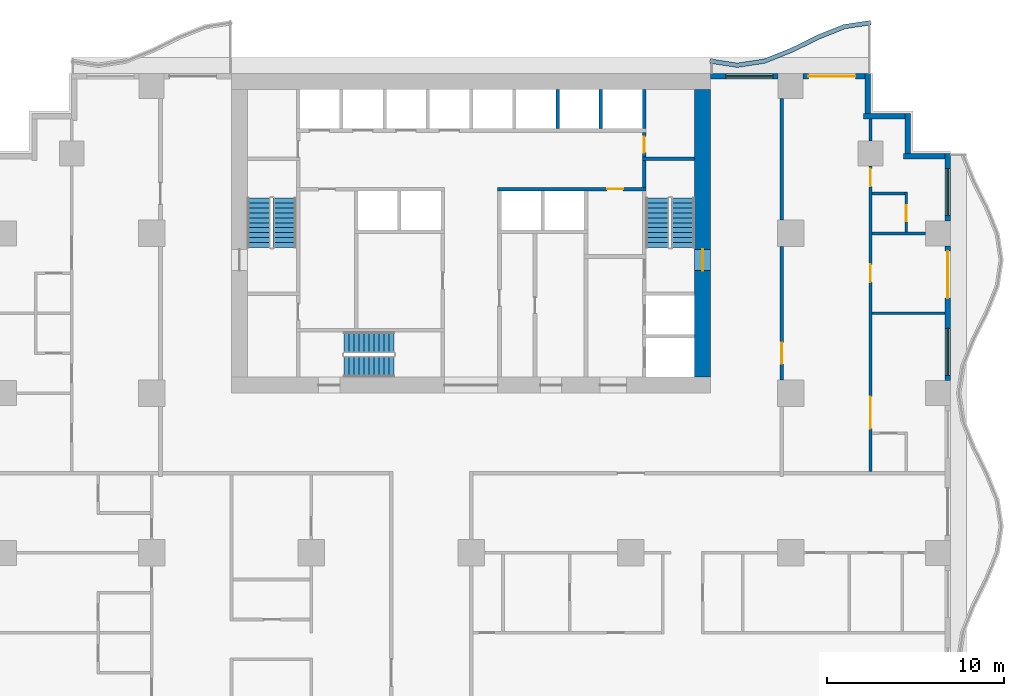
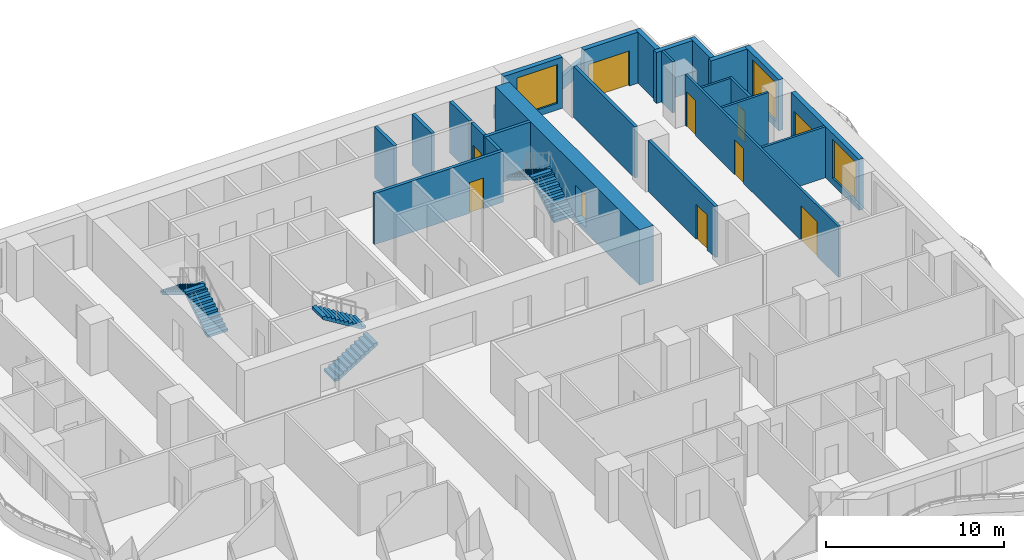
# One storey, part 6 of 13: 25 walls, 10 doors, 6 stair flights, 3 windows, 13 openings, 3 elements without a shape of their own.
"""IFC4 building model written with IfcOpenShell, lengths in metres."""

from ifc_helpers import new_model, si_unit, direction, frame, frame_2d, origin, place, context, subcontext, project, spatial, polyline, rectangle, outline, extrude, material, layer, layer_set, type_object, element, fill, aggregate, save


model = new_model("IFC4")

# Units and contexts
model_context = context("Model", 3, precision=1e-05, world=origin(), true_north=direction((0.0, 1.0)))
body_context = subcontext(model_context, "Body", "Model", "MODEL_VIEW")
ifc_project = project(units=[si_unit("LENGTHUNIT", "METRE"), si_unit("AREAUNIT", "SQUARE_METRE"), si_unit("VOLUMEUNIT", "CUBIC_METRE"), si_unit("PLANEANGLEUNIT", "RADIAN"), si_unit("MASSUNIT", "GRAM", prefix="KILO")], contexts=[model_context])

# Site, building, storey
site_placement = place(None, origin())
site = spatial("IfcSite", under=ifc_project, at=site_placement, CompositionType="ELEMENT")
building_placement = place(site_placement, origin())
building = spatial("IfcBuilding", under=site, at=building_placement, Name="Orbiselva Terraces", CompositionType="ELEMENT")
storey_placement = place(building_placement, frame((0.0, 0.0, 53.0)))
storey = spatial("IfcBuildingStorey", under=building, at=storey_placement, Name="L13", CompositionType="ELEMENT", Elevation=53.0)

# Wall, opening, door
ifc_material_1 = material(Name="Concrete C80/95", Category="concrete")
ifc_layer_1 = layer(ifc_material_1, 0.9)
ifc_layer_set_1 = layer_set([ifc_layer_1], Name="Concrete C80/95")
wall_type_1 = type_object("IfcWallType", Name="CORE WALL 900", PredefinedType="SHEAR", material=ifc_layer_set_1)
wall_1_placement = place(storey_placement, frame((13.05, 5.4, -0.3), z_axis=(0.0, 0.0, 1.0), x_axis=(0.0, 1.0, 0.0)))
wall_1 = element("IfcWall", 1, at=wall_1_placement, inside=storey, type_object=wall_type_1, Name="Core wall L13 east", PredefinedType="SHEAR", context=body_context, shape_type="SweptSolid", body=[
    extrude(rectangle(XDim=16.2, YDim=0.9, at=frame_2d((8.1, 0.0))), origin(), (0.0, 0.0, 1.0), 3.8),
])
opening_1_placement = place(wall_1_placement, frame((6.0, 0.0, 0.3)))
opening_1 = element("IfcOpeningElement", 2, at=opening_1_placement, cuts=wall_1, Name="Opening DS1200", PredefinedType="OPENING", context=body_context, shape_type="SweptSolid", body=[
    extrude(rectangle(XDim=1.2, YDim=2.2, at=frame_2d((0.6, 1.1))), frame((0.0, 0.46, 0.0), z_axis=(0.0, -1.0, 0.0), x_axis=(1.0, 0.0, 0.0)), (0.0, 0.0, 1.0), 0.92),
])
ifc_material_2 = material(Name="Steel fire door", Category="steel")
door_type_1 = type_object("IfcDoorType", Name="STAIR DOOR 1200", OperationType="NOTDEFINED", PredefinedType="DOOR", material=ifc_material_2)
door_1_placement = place(opening_1_placement, frame((1.2, 0.0, 0.0), z_axis=(0.0, 0.0, 1.0), x_axis=(-1.0, 0.0, 0.0)))
door_1 = element("IfcDoor", 3, at=door_1_placement, inside=storey, type_object=door_type_1, Name="L13 EXIT STAIR S2 door", OperationType="SINGLE_SWING_LEFT", OverallHeight=2.2, OverallWidth=1.2, PredefinedType="DOOR", context=body_context, shape_type="SweptSolid", body=[
    extrude(rectangle(XDim=1.2, YDim=2.2, at=frame_2d((0.6, 1.1))), frame((0.0, 0.025, 0.0), z_axis=(0.0, -1.0, 0.0), x_axis=(1.0, 0.0, 0.0)), (0.0, 0.0, 1.0), 0.05),
])
fill(opening_1, door_1)

ifc_material_3 = material(Name="Masonry blockwork", Category="masonry")
ifc_layer_2 = layer(ifc_material_3, 0.2)
ifc_layer_set_2 = layer_set([ifc_layer_2], Name="Masonry blockwork")
wall_type_2 = type_object("IfcWallType", Name="CORE-WALL-PARTITION-200", PredefinedType="PARTITIONING", material=ifc_layer_set_2)
wall_2_placement = place(storey_placement, frame((9.75, 19.2, 0.0), z_axis=(0.0, 0.0, 1.0), x_axis=(0.0, -1.0, 0.0)))
wall_2 = element("IfcWall", 4, at=wall_2_placement, inside=storey, type_object=wall_type_2, Name="L13 core wall 44", PredefinedType="PARTITIONING", context=body_context, shape_type="SweptSolid", body=[
    extrude(rectangle(XDim=1.4, YDim=0.2, at=frame_2d((0.7, 0.0))), origin(), (0.0, 0.0, 1.0), 3.5),
])
opening_2_placement = place(wall_2_placement, frame((0.25, 0.0, 0.0)))
opening_2 = element("IfcOpeningElement", 5, at=opening_2_placement, cuts=wall_2, Name="Opening DR900", PredefinedType="OPENING", context=body_context, shape_type="SweptSolid", body=[
    extrude(rectangle(XDim=0.9, YDim=2.1, at=frame_2d((0.45, 1.05))), frame((0.0, 0.11, 0.0), z_axis=(0.0, -1.0, 0.0), x_axis=(1.0, 0.0, 0.0)), (0.0, 0.0, 1.0), 0.22),
])
door_type_2 = type_object("IfcDoorType", Name="ROOM DOOR 900", OperationType="NOTDEFINED", PredefinedType="DOOR", material=ifc_material_2)
door_2_placement = place(opening_2_placement, origin())
door_2 = element("IfcDoor", 6, at=door_2_placement, inside=storey, type_object=door_type_2, Name="L13 ELECTRICAL RISER ROOM door", OperationType="SINGLE_SWING_RIGHT", OverallHeight=2.1, OverallWidth=0.9, PredefinedType="DOOR", context=body_context, shape_type="SweptSolid", body=[
    extrude(rectangle(XDim=0.9, YDim=2.1, at=frame_2d((0.45, 1.05))), frame((0.0, 0.025, 0.0), z_axis=(0.0, -1.0, 0.0), x_axis=(1.0, 0.0, 0.0)), (0.0, 0.0, 1.0), 0.05),
])
fill(opening_2, door_2)

# Walls
ifc_material_4 = material(Name="Concrete C40/50", Category="concrete")
ifc_layer_3 = layer(ifc_material_4, 0.2)
ifc_layer_set_3 = layer_set([ifc_layer_3], Name="Concrete C40/50")
wall_type_3 = type_object("IfcWallType", Name="CORE-WALL-SHAFT-200", PredefinedType="PARTITIONING", material=ifc_layer_set_3)
for number, where, z_axis, x_axis, name in (
    (7, (4.875, 19.4, 0.0), (0.0, 0.0, 1.0), (0.0, 1.0, 0.0), "L13 core wall 30"),
    (8, (7.3125, 19.4, 0.0), (0.0, 0.0, 1.0), (0.0, 1.0, 0.0), "L13 core wall 35"),
    (9, (9.75, 19.4, 0.0), (0.0, 0.0, 1.0), (0.0, 1.0, 0.0), "L13 core wall 45"),
):
    element("IfcWall", number, at=place(storey_placement, frame(where, z_axis=z_axis, x_axis=x_axis)), inside=storey, type_object=wall_type_3, Name=name, PredefinedType="PARTITIONING", context=body_context, shape_type="SweptSolid", body=[
        extrude(rectangle(XDim=2.2, YDim=0.2, at=frame_2d((1.1, 0.0))), origin(), (0.0, 0.0, 1.0), 3.5),
    ])

# Wall, opening, door
ifc_material_5 = material(Name="Concrete C60/75", Category="concrete")
ifc_layer_4 = layer(ifc_material_5, 0.2)
ifc_layer_set_4 = layer_set([ifc_layer_4], Name="Concrete C60/75")
wall_type_4 = type_object("IfcWallType", Name="CORE-WALL-SHEAR-200", PredefinedType="SHEAR", material=ifc_layer_set_4)
wall_3_placement = place(storey_placement, frame((9.85, 16.0, 0.0), z_axis=(0.0, 0.0, 1.0), x_axis=(-1.0, 0.0, 0.0)))
wall_3 = element("IfcWall", 10, at=wall_3_placement, inside=storey, type_object=wall_type_4, Name="L13 core wall 26", PredefinedType="SHEAR", context=body_context, shape_type="SweptSolid", body=[
    extrude(rectangle(XDim=8.35, YDim=0.2, at=frame_2d((4.175, 0.0))), origin(), (0.0, 0.0, 1.0), 3.5),
])
opening_3_placement = place(wall_3_placement, frame((1.2875, 0.0, 0.0)))
opening_3 = element("IfcOpeningElement", 11, at=opening_3_placement, cuts=wall_3, Name="Opening DR900", PredefinedType="OPENING", context=body_context, shape_type="SweptSolid", body=[
    extrude(rectangle(XDim=0.9, YDim=2.1, at=frame_2d((0.45, 1.05))), frame((0.0, 0.11, 0.0), z_axis=(0.0, -1.0, 0.0), x_axis=(1.0, 0.0, 0.0)), (0.0, 0.0, 1.0), 0.22),
])
door_3_placement = place(opening_3_placement, origin())
door_3 = element("IfcDoor", 12, at=door_3_placement, inside=storey, type_object=door_type_2, Name="L13 PIPE RISER ROOM door", OperationType="SINGLE_SWING_LEFT", OverallHeight=2.1, OverallWidth=0.9, PredefinedType="DOOR", context=body_context, shape_type="SweptSolid", body=[
    extrude(rectangle(XDim=0.9, YDim=2.1, at=frame_2d((0.45, 1.05))), frame((0.0, 0.025, 0.0), z_axis=(0.0, -1.0, 0.0), x_axis=(1.0, 0.0, 0.0)), (0.0, 0.0, 1.0), 0.05),
])
fill(opening_3, door_3)

# Walls
wall_4_placement = place(storey_placement, frame((9.75, 16.1, 0.0), z_axis=(0.0, 0.0, 1.0), x_axis=(0.0, 1.0, 0.0)))
element("IfcWall", 13, at=wall_4_placement, inside=storey, type_object=wall_type_4, Name="L13 core wall 42", PredefinedType="SHEAR", context=body_context, shape_type="SweptSolid", body=[
    extrude(rectangle(XDim=1.5, YDim=0.2, at=frame_2d((0.75, 0.0))), origin(), (0.0, 0.0, 1.0), 3.5),
])
wall_5_placement = place(storey_placement, frame((9.65, 17.7, 0.0), z_axis=(0.0, 0.0, 1.0), x_axis=(1.0, 0.0, 0.0)))
element("IfcWall", 14, at=wall_5_placement, inside=storey, type_object=wall_type_4, Name="L13 core wall 43", PredefinedType="SHEAR", context=body_context, shape_type="SweptSolid", body=[
    extrude(rectangle(XDim=2.95, YDim=0.2, at=frame_2d((1.475, 0.0))), origin(), (0.0, 0.0, 1.0), 3.5),
])
ifc_layer_5 = layer(ifc_material_4, 0.25)
ifc_layer_set_5 = layer_set([ifc_layer_5], Name="Concrete C40/50")
wall_type_5 = type_object("IfcWallType", Name="ENV-PLANTER-250x900", PredefinedType="USERDEFINED", material=ifc_layer_set_5)
wall_6_placement = place(storey_placement, origin())
element("IfcWall", 15, at=wall_6_placement, inside=storey, type_object=wall_type_5, Name="Balcony planter L13 NE", ObjectType="PLANTER", PredefinedType="USERDEFINED", context=body_context, shape_type="SweptSolid", body=[
    extrude(outline(polyline([(22.5, 25.5), (21.0, 25.27082), (19.5, 24.67082), (18.0, 23.92918), (16.5, 23.32918), (15.0, 23.1), (13.5, 23.32918), (13.462242, 23.082048), (15.0, 22.847099), (16.566166, 23.086388), (18.101983, 23.700715), (19.601983, 24.442355), (21.066166, 25.028028), (22.537758, 25.252868), (22.5, 25.5)])), origin(), (0.0, 0.0, 1.0), 0.9),
])

# Wall, openings, door, window
ifc_material_6 = material(Name="Terracotta cladding on masonry backing", Category="masonry")
ifc_layer_6 = layer(ifc_material_6, 0.3)
ifc_layer_set_6 = layer_set([ifc_layer_6], Name="Terracotta cladding on masonry backing")
wall_type_6 = type_object("IfcWallType", Name="ENV-WALL-TERRACOTTA-300", PredefinedType="SOLIDWALL", material=ifc_layer_set_6)
wall_7_placement = place(storey_placement, frame((26.85, 12.8, 0.0), z_axis=(0.0, 0.0, 1.0), x_axis=(0.0, -1.0, 0.0)))
wall_7 = element("IfcWall", 16, at=wall_7_placement, inside=storey, type_object=wall_type_6, Name="Facade wall L13 E", PredefinedType="SOLIDWALL", context=body_context, shape_type="SweptSolid", body=[
    extrude(rectangle(XDim=7.6, YDim=0.3, at=frame_2d((3.8, 0.0))), origin(), (0.0, 0.0, 1.0), 3.5),
])
opening_4_placement = place(wall_7_placement, frame((4.65, 0.0, 0.45)))
opening_4 = element("IfcOpeningElement", 17, at=opening_4_placement, cuts=wall_7, Name="Opening WN3", PredefinedType="OPENING", context=body_context, shape_type="SweptSolid", body=[
    extrude(rectangle(XDim=2.65, YDim=2.65, at=frame_2d((1.325, 1.325))), frame((0.0, 0.16, 0.0), z_axis=(0.0, -1.0, 0.0), x_axis=(1.0, 0.0, 0.0)), (0.0, 0.0, 1.0), 0.32),
])
opening_5_placement = place(wall_7_placement, frame((0.3, 0.0, 0.0)))
opening_5 = element("IfcOpeningElement", 18, at=opening_5_placement, cuts=wall_7, Name="Opening Z1-D-E07", PredefinedType="OPENING", context=body_context, shape_type="SweptSolid", body=[
    extrude(rectangle(XDim=2.65, YDim=2.4, at=frame_2d((1.325, 1.2))), frame((0.0, 0.16, 0.0), z_axis=(0.0, -1.0, 0.0), x_axis=(1.0, 0.0, 0.0)), (0.0, 0.0, 1.0), 0.32),
])
ifc_material_7 = material(Name="Clear low-e glazing in aluminium frame", Category="aluminium")
door_type_3 = type_object("IfcDoorType", Name="BALCONY DOOR 2650 X 2400", OperationType="DOUBLE_DOOR_SLIDING", PredefinedType="DOOR", material=ifc_material_7)
door_4_placement = place(opening_5_placement, origin())
door_4 = element("IfcDoor", 19, at=door_4_placement, inside=storey, type_object=door_type_3, Name="Z1-D-E07", OperationType="SINGLE_SWING_LEFT", OverallHeight=2.4, OverallWidth=2.65, PredefinedType="DOOR", context=body_context, shape_type="SweptSolid", body=[
    extrude(rectangle(XDim=2.65, YDim=2.4, at=frame_2d((1.325, 1.2))), frame((0.0, 0.025, 0.0), z_axis=(0.0, -1.0, 0.0), x_axis=(1.0, 0.0, 0.0)), (0.0, 0.0, 1.0), 0.05),
])
fill(opening_5, door_4)
window_type = type_object("IfcWindowType", Name="WINDOW 2650 X 2650 S450", PartitioningType="TRIPLE_PANEL_VERTICAL", PredefinedType="WINDOW", material=ifc_material_7)
window_1_placement = place(opening_4_placement, origin())
window_1 = element("IfcWindow", 20, at=window_1_placement, inside=storey, type_object=window_type, Name="Window L13 E", OverallHeight=2.65, OverallWidth=2.65, PartitioningType="SINGLE_PANEL", PredefinedType="WINDOW", context=body_context, shape_type="SweptSolid", body=[
    extrude(rectangle(XDim=2.65, YDim=2.65, at=frame_2d((1.325, 1.325))), frame((0.0, 0.03, 0.0), z_axis=(0.0, -1.0, 0.0), x_axis=(1.0, 0.0, 0.0)), (0.0, 0.0, 1.0), 0.06),
])
fill(opening_4, window_1)

# Wall, opening, window
wall_8_placement = place(storey_placement, frame((26.85, 18.0, 0.0), z_axis=(0.0, 0.0, 1.0), x_axis=(0.0, -1.0, 0.0)))
wall_8 = element("IfcWall", 21, at=wall_8_placement, inside=storey, type_object=wall_type_6, Name="Facade wall L13 E", PredefinedType="SOLIDWALL", context=body_context, shape_type="SweptSolid", body=[
    extrude(rectangle(XDim=3.8, YDim=0.3, at=frame_2d((1.9, 0.0))), origin(), (0.0, 0.0, 1.0), 3.5),
])
opening_6_placement = place(wall_8_placement, frame((0.85, 0.0, 0.45)))
opening_6 = element("IfcOpeningElement", 22, at=opening_6_placement, cuts=wall_8, Name="Opening WN3", PredefinedType="OPENING", context=body_context, shape_type="SweptSolid", body=[
    extrude(rectangle(XDim=2.65, YDim=2.65, at=frame_2d((1.325, 1.325))), frame((0.0, 0.16, 0.0), z_axis=(0.0, -1.0, 0.0), x_axis=(1.0, 0.0, 0.0)), (0.0, 0.0, 1.0), 0.32),
])
window_2_placement = place(opening_6_placement, origin())
window_2 = element("IfcWindow", 23, at=window_2_placement, inside=storey, type_object=window_type, Name="Window L13 E", OverallHeight=2.65, OverallWidth=2.65, PartitioningType="SINGLE_PANEL", PredefinedType="WINDOW", context=body_context, shape_type="SweptSolid", body=[
    extrude(rectangle(XDim=2.65, YDim=2.65, at=frame_2d((1.325, 1.325))), frame((0.0, 0.03, 0.0), z_axis=(0.0, -1.0, 0.0), x_axis=(1.0, 0.0, 0.0)), (0.0, 0.0, 1.0), 0.06),
])
fill(opening_6, window_2)

# Walls
wall_9_placement = place(storey_placement, frame((24.35, 17.85, 0.0), z_axis=(0.0, 0.0, 1.0), x_axis=(1.0, 0.0, 0.0)))
element("IfcWall", 24, at=wall_9_placement, inside=storey, type_object=wall_type_6, Name="Facade wall L13 STEP", PredefinedType="SOLIDWALL", context=body_context, shape_type="SweptSolid", body=[
    extrude(rectangle(XDim=2.35, YDim=0.3, at=frame_2d((1.175, 0.0))), origin(), (0.0, 0.0, 1.0), 3.5),
])
wall_10_placement = place(storey_placement, frame((24.6, 20.25, 0.0), z_axis=(0.0, 0.0, 1.0), x_axis=(0.0, -1.0, 0.0)))
element("IfcWall", 25, at=wall_10_placement, inside=storey, type_object=wall_type_6, Name="Facade wall L13 STEP", PredefinedType="SOLIDWALL", context=body_context, shape_type="SweptSolid", body=[
    extrude(rectangle(XDim=2.25, YDim=0.3, at=frame_2d((1.125, 0.0))), origin(), (0.0, 0.0, 1.0), 3.5),
])
wall_11_placement = place(storey_placement, frame((22.1, 20.1, 0.0), z_axis=(0.0, 0.0, 1.0), x_axis=(1.0, 0.0, 0.0)))
element("IfcWall", 26, at=wall_11_placement, inside=storey, type_object=wall_type_6, Name="Facade wall L13 STEP", PredefinedType="SOLIDWALL", context=body_context, shape_type="SweptSolid", body=[
    extrude(rectangle(XDim=2.35, YDim=0.3, at=frame_2d((1.175, 0.0))), origin(), (0.0, 0.0, 1.0), 3.5),
])
wall_12_placement = place(storey_placement, frame((22.35, 22.5, 0.0), z_axis=(0.0, 0.0, 1.0), x_axis=(0.0, -1.0, 0.0)))
element("IfcWall", 27, at=wall_12_placement, inside=storey, type_object=wall_type_6, Name="Facade wall L13 STEP", PredefinedType="SOLIDWALL", context=body_context, shape_type="SweptSolid", body=[
    extrude(rectangle(XDim=2.25, YDim=0.3, at=frame_2d((1.125, 0.0))), origin(), (0.0, 0.0, 1.0), 3.5),
])

# Wall, opening, door
wall_13_placement = place(storey_placement, frame((18.7, 22.35, 0.0), z_axis=(0.0, 0.0, 1.0), x_axis=(1.0, 0.0, 0.0)))
wall_13 = element("IfcWall", 28, at=wall_13_placement, inside=storey, type_object=wall_type_6, Name="Facade wall L13 NE", PredefinedType="SOLIDWALL", context=body_context, shape_type="SweptSolid", body=[
    extrude(rectangle(XDim=3.5, YDim=0.3, at=frame_2d((1.75, 0.0))), origin(), (0.0, 0.0, 1.0), 3.5),
])
opening_7_placement = place(wall_13_placement, frame((0.3, 0.0, 0.0)))
opening_7 = element("IfcOpeningElement", 29, at=opening_7_placement, cuts=wall_13, Name="Opening Z1-D-E09", PredefinedType="OPENING", context=body_context, shape_type="SweptSolid", body=[
    extrude(rectangle(XDim=2.65, YDim=2.4, at=frame_2d((1.325, 1.2))), frame((0.0, 0.16, 0.0), z_axis=(0.0, -1.0, 0.0), x_axis=(1.0, 0.0, 0.0)), (0.0, 0.0, 1.0), 0.32),
])
door_5_placement = place(opening_7_placement, origin())
door_5 = element("IfcDoor", 30, at=door_5_placement, inside=storey, type_object=door_type_3, Name="Z1-D-E09", OperationType="SINGLE_SWING_LEFT", OverallHeight=2.4, OverallWidth=2.65, PredefinedType="DOOR", context=body_context, shape_type="SweptSolid", body=[
    extrude(rectangle(XDim=2.65, YDim=2.4, at=frame_2d((1.325, 1.2))), frame((0.0, 0.025, 0.0), z_axis=(0.0, -1.0, 0.0), x_axis=(1.0, 0.0, 0.0)), (0.0, 0.0, 1.0), 0.05),
])
fill(opening_7, door_5)

# Wall, opening, window
wall_14_placement = place(storey_placement, frame((13.5, 22.35, 0.0), z_axis=(0.0, 0.0, 1.0), x_axis=(1.0, 0.0, 0.0)))
wall_14 = element("IfcWall", 31, at=wall_14_placement, inside=storey, type_object=wall_type_6, Name="Facade wall L13 NE", PredefinedType="SOLIDWALL", context=body_context, shape_type="SweptSolid", body=[
    extrude(rectangle(XDim=3.8, YDim=0.3, at=frame_2d((1.9, 0.0))), origin(), (0.0, 0.0, 1.0), 3.5),
])
opening_8_placement = place(wall_14_placement, frame((0.85, 0.0, 0.45)))
opening_8 = element("IfcOpeningElement", 32, at=opening_8_placement, cuts=wall_14, Name="Opening WN3", PredefinedType="OPENING", context=body_context, shape_type="SweptSolid", body=[
    extrude(rectangle(XDim=2.65, YDim=2.65, at=frame_2d((1.325, 1.325))), frame((0.0, 0.16, 0.0), z_axis=(0.0, -1.0, 0.0), x_axis=(1.0, 0.0, 0.0)), (0.0, 0.0, 1.0), 0.32),
])
window_3_placement = place(opening_8_placement, origin())
window_3 = element("IfcWindow", 33, at=window_3_placement, inside=storey, type_object=window_type, Name="Window L13 NE", OverallHeight=2.65, OverallWidth=2.65, PartitioningType="SINGLE_PANEL", PredefinedType="WINDOW", context=body_context, shape_type="SweptSolid", body=[
    extrude(rectangle(XDim=2.65, YDim=2.65, at=frame_2d((1.325, 1.325))), frame((0.0, 0.03, 0.0), z_axis=(0.0, -1.0, 0.0), x_axis=(1.0, 0.0, 0.0)), (0.0, 0.0, 1.0), 0.06),
])
fill(opening_8, window_3)

# Wall, opening, door
ifc_material_8 = material(Name="Plasterboard on steel stud partition", Category="steel")
ifc_layer_7 = layer(ifc_material_8, 0.2)
ifc_layer_set_7 = layer_set([ifc_layer_7], Name="Plasterboard on steel stud partition")
wall_type_7 = type_object("IfcWallType", Name="UNIT-ENTRANCE-WALL-200", PredefinedType="PARTITIONING", material=ifc_layer_set_7)
wall_15_placement = place(storey_placement, frame((17.5, 12.75, 0.0), z_axis=(0.0, 0.0, 1.0), x_axis=(0.0, -1.0, 0.0)))
wall_15 = element("IfcWall", 34, at=wall_15_placement, inside=storey, type_object=wall_type_7, Name="PARTITION L13-076", PredefinedType="PARTITIONING", context=body_context, shape_type="SweptSolid", body=[
    extrude(rectangle(XDim=7.5, YDim=0.2, at=frame_2d((3.75, 0.0))), origin(), (0.0, 0.0, 1.0), 3.5),
])
opening_9_placement = place(wall_15_placement, frame((5.4, 0.0, 0.0)))
opening_9 = element("IfcOpeningElement", 35, at=opening_9_placement, cuts=wall_15, Name="Opening Z1-D-07", PredefinedType="OPENING", context=body_context, shape_type="SweptSolid", body=[
    extrude(rectangle(XDim=1.2, YDim=2.4, at=frame_2d((0.6, 1.2))), frame((0.0, 0.11, 0.0), z_axis=(0.0, -1.0, 0.0), x_axis=(1.0, 0.0, 0.0)), (0.0, 0.0, 1.0), 0.22),
])
ifc_material_9 = material(Name="Painted timber door leaf", Category="wood")
door_type_4 = type_object("IfcDoorType", Name="ENTRANCE DOOR 1200", OperationType="NOTDEFINED", PredefinedType="DOOR", material=ifc_material_9)
door_6_placement = place(opening_9_placement, origin())
door_6 = element("IfcDoor", 36, at=door_6_placement, inside=storey, type_object=door_type_4, Name="Z1-D-07", OperationType="SINGLE_SWING_RIGHT", OverallHeight=2.4, OverallWidth=1.2, PredefinedType="DOOR", context=body_context, shape_type="SweptSolid", body=[
    extrude(rectangle(XDim=1.2, YDim=2.4, at=frame_2d((0.6, 1.2))), frame((0.0, 0.025, 0.0), z_axis=(0.0, -1.0, 0.0), x_axis=(1.0, 0.0, 0.0)), (0.0, 0.0, 1.0), 0.05),
])
fill(opening_9, door_6)

# Walls
wall_16_placement = place(storey_placement, frame((17.5, 14.25, 0.0), z_axis=(0.0, 0.0, 1.0), x_axis=(0.0, 1.0, 0.0)))
element("IfcWall", 37, at=wall_16_placement, inside=storey, type_object=wall_type_7, Name="PARTITION L13-077", PredefinedType="PARTITIONING", context=body_context, shape_type="SweptSolid", body=[
    extrude(rectangle(XDim=6.85, YDim=0.2, at=frame_2d((3.425, 0.0))), origin(), (0.0, 0.0, 1.0), 3.5),
])
ifc_layer_8 = layer(ifc_material_8, 0.15)
ifc_layer_set_8 = layer_set([ifc_layer_8], Name="Plasterboard on steel stud partition")
wall_type_8 = type_object("IfcWallType", Name="UNIT-PARTITION-150", PredefinedType="PARTITIONING", material=ifc_layer_set_8)
wall_17_placement = place(storey_placement, frame((22.575, 9.0, 0.0), z_axis=(0.0, 0.0, 1.0), x_axis=(1.0, 0.0, 0.0)))
element("IfcWall", 38, at=wall_17_placement, inside=storey, type_object=wall_type_8, Name="PARTITION L13-037", PredefinedType="PARTITIONING", context=body_context, shape_type="SweptSolid", body=[
    extrude(rectangle(XDim=4.125, YDim=0.15, at=frame_2d((2.0625, 0.0))), origin(), (0.0, 0.0, 1.0), 3.5),
])
wall_18_placement = place(storey_placement, frame((22.575, 13.5, 0.0), z_axis=(0.0, 0.0, 1.0), x_axis=(1.0, 0.0, 0.0)))
element("IfcWall", 39, at=wall_18_placement, inside=storey, type_object=wall_type_8, Name="PARTITION L13-039", PredefinedType="PARTITIONING", context=body_context, shape_type="SweptSolid", body=[
    extrude(rectangle(XDim=3.025, YDim=0.15, at=frame_2d((1.5125, 0.0))), origin(), (0.0, 0.0, 1.0), 3.5),
])
wall_19_placement = place(storey_placement, frame((22.575, 15.75, 0.0), z_axis=(0.0, 0.0, 1.0), x_axis=(1.0, 0.0, 0.0)))
element("IfcWall", 40, at=wall_19_placement, inside=storey, type_object=wall_type_8, Name="PARTITION L13-040", PredefinedType="PARTITIONING", context=body_context, shape_type="SweptSolid", body=[
    extrude(rectangle(XDim=1.875, YDim=0.15, at=frame_2d((0.9375, 0.0))), origin(), (0.0, 0.0, 1.0), 3.5),
])

# Wall, openings, doors
wall_20_placement = place(storey_placement, frame((22.5, 17.3, 0.0), z_axis=(0.0, 0.0, 1.0), x_axis=(0.0, -1.0, 0.0)))
wall_20 = element("IfcWall", 41, at=wall_20_placement, inside=storey, type_object=wall_type_8, Name="PARTITION L13-081", PredefinedType="PARTITIONING", context=body_context, shape_type="SweptSolid", body=[
    extrude(rectangle(XDim=17.2, YDim=0.15, at=frame_2d((8.6, 0.0))), origin(), (0.0, 0.0, 1.0), 3.5),
])
opening_10_placement = place(wall_20_placement, frame((13.0, 0.0, 0.0)))
opening_10 = element("IfcOpeningElement", 42, at=opening_10_placement, cuts=wall_20, Name="Opening Z1-D-08", PredefinedType="OPENING", context=body_context, shape_type="SweptSolid", body=[
    extrude(rectangle(XDim=1.8, YDim=2.4, at=frame_2d((0.9, 1.2))), frame((0.0, 0.085, 0.0), z_axis=(0.0, -1.0, 0.0), x_axis=(1.0, 0.0, 0.0)), (0.0, 0.0, 1.0), 0.17),
])
opening_11_placement = place(wall_20_placement, frame((5.55, 0.0, 0.0)))
opening_11 = element("IfcOpeningElement", 43, at=opening_11_placement, cuts=wall_20, Name="Opening Z1-D-10", PredefinedType="OPENING", context=body_context, shape_type="SweptSolid", body=[
    extrude(rectangle(XDim=1.0, YDim=2.4, at=frame_2d((0.5, 1.2))), frame((0.0, 0.085, 0.0), z_axis=(0.0, -1.0, 0.0), x_axis=(1.0, 0.0, 0.0)), (0.0, 0.0, 1.0), 0.17),
])
opening_12_placement = place(wall_20_placement, frame((0.15, 0.0, 0.0)))
opening_12 = element("IfcOpeningElement", 44, at=opening_12_placement, cuts=wall_20, Name="Opening Z1-D-11", PredefinedType="OPENING", context=body_context, shape_type="SweptSolid", body=[
    extrude(rectangle(XDim=1.0, YDim=2.4, at=frame_2d((0.5, 1.2))), frame((0.0, 0.085, 0.0), z_axis=(0.0, -1.0, 0.0), x_axis=(1.0, 0.0, 0.0)), (0.0, 0.0, 1.0), 0.17),
])
door_type_5 = type_object("IfcDoorType", Name="DOUBLE DOOR 1800", OperationType="NOTDEFINED", PredefinedType="DOOR", material=ifc_material_9)
door_7_placement = place(opening_10_placement, origin())
door_7 = element("IfcDoor", 45, at=door_7_placement, inside=storey, type_object=door_type_5, Name="Z1-D-08", OperationType="DOUBLE_DOOR_SINGLE_SWING", OverallHeight=2.4, OverallWidth=1.8, PredefinedType="DOOR", context=body_context, shape_type="SweptSolid", body=[
    extrude(rectangle(XDim=1.8, YDim=2.4, at=frame_2d((0.9, 1.2))), frame((0.0, 0.025, 0.0), z_axis=(0.0, -1.0, 0.0), x_axis=(1.0, 0.0, 0.0)), (0.0, 0.0, 1.0), 0.05),
])
fill(opening_10, door_7)
door_type_6 = type_object("IfcDoorType", Name="ROOM DOOR 1000", OperationType="NOTDEFINED", PredefinedType="DOOR", material=ifc_material_9)
door_8_placement = place(opening_11_placement, origin())
door_8 = element("IfcDoor", 46, at=door_8_placement, inside=storey, type_object=door_type_6, Name="Z1-D-10", OperationType="SINGLE_SWING_LEFT", OverallHeight=2.4, OverallWidth=1.0, PredefinedType="DOOR", context=body_context, shape_type="SweptSolid", body=[
    extrude(rectangle(XDim=1.0, YDim=2.4, at=frame_2d((0.5, 1.2))), frame((0.0, 0.025, 0.0), z_axis=(0.0, -1.0, 0.0), x_axis=(1.0, 0.0, 0.0)), (0.0, 0.0, 1.0), 0.05),
])
fill(opening_11, door_8)
door_9_placement = place(opening_12_placement, origin())
door_9 = element("IfcDoor", 47, at=door_9_placement, inside=storey, type_object=door_type_6, Name="Z1-D-11", OperationType="SINGLE_SWING_LEFT", OverallHeight=2.4, OverallWidth=1.0, PredefinedType="DOOR", context=body_context, shape_type="SweptSolid", body=[
    extrude(rectangle(XDim=1.0, YDim=2.4, at=frame_2d((0.5, 1.2))), frame((0.0, 0.025, 0.0), z_axis=(0.0, -1.0, 0.0), x_axis=(1.0, 0.0, 0.0)), (0.0, 0.0, 1.0), 0.05),
])
fill(opening_12, door_9)

# Wall
wall_21_placement = place(storey_placement, frame((22.5, 18.7, 0.0), z_axis=(0.0, 0.0, 1.0), x_axis=(0.0, 1.0, 0.0)))
element("IfcWall", 48, at=wall_21_placement, inside=storey, type_object=wall_type_8, Name="PARTITION L13-082", PredefinedType="PARTITIONING", context=body_context, shape_type="SweptSolid", body=[
    extrude(rectangle(XDim=1.25, YDim=0.15, at=frame_2d((0.625, 0.0))), origin(), (0.0, 0.0, 1.0), 3.5),
])

# Wall, opening, door
wall_22_placement = place(storey_placement, frame((24.525, 13.575, 0.0), z_axis=(0.0, 0.0, 1.0), x_axis=(0.0, 1.0, 0.0)))
wall_22 = element("IfcWall", 49, at=wall_22_placement, inside=storey, type_object=wall_type_8, Name="PARTITION L13-085", PredefinedType="PARTITIONING", context=body_context, shape_type="SweptSolid", body=[
    extrude(rectangle(XDim=2.25, YDim=0.15, at=frame_2d((1.125, 0.0))), origin(), (0.0, 0.0, 1.0), 3.5),
])
opening_13_placement = place(wall_22_placement, frame((0.6, 0.0, 0.0)))
opening_13 = element("IfcOpeningElement", 50, at=opening_13_placement, cuts=wall_22, Name="Opening Z1-D-12", PredefinedType="OPENING", context=body_context, shape_type="SweptSolid", body=[
    extrude(rectangle(XDim=0.9, YDim=2.1, at=frame_2d((0.45, 1.05))), frame((0.0, 0.085, 0.0), z_axis=(0.0, -1.0, 0.0), x_axis=(1.0, 0.0, 0.0)), (0.0, 0.0, 1.0), 0.17),
])
door_type_7 = type_object("IfcDoorType", Name="BATH DOOR 900", OperationType="NOTDEFINED", PredefinedType="DOOR", material=ifc_material_9)
door_10_placement = place(opening_13_placement, origin())
door_10 = element("IfcDoor", 51, at=door_10_placement, inside=storey, type_object=door_type_7, Name="Z1-D-12", OperationType="SINGLE_SWING_LEFT", OverallHeight=2.1, OverallWidth=0.9, PredefinedType="DOOR", context=body_context, shape_type="SweptSolid", body=[
    extrude(rectangle(XDim=0.9, YDim=2.1, at=frame_2d((0.45, 1.05))), frame((0.0, 0.025, 0.0), z_axis=(0.0, -1.0, 0.0), x_axis=(1.0, 0.0, 0.0)), (0.0, 0.0, 1.0), 0.05),
])
fill(opening_13, door_10)

# Stair, stair flights
stair_type_1 = type_object("IfcStairType", Name="CORE-STAIR-1200", PredefinedType="HALF_TURN_STAIR", material=ifc_material_4)
stair_1_placement = place(storey_placement, origin())
stair_1 = element("IfcStair", 52, at=stair_1_placement, inside=storey, type_object=stair_type_1, Name="L13 Exit Stair S3", PredefinedType="HALF_TURN_STAIR")
stair_flight_type_1 = type_object("IfcStairFlightType", Name="CORE-STAIR-FLIGHT-1200", PredefinedType="STRAIGHT", material=ifc_material_4)
stair_flight_1_placement = place(storey_placement, frame((-7.15, 6.0, 0.0), z_axis=(0.0, 0.0, 1.0), x_axis=(1.0, 0.0, 0.0)))
stair_flight_1 = element("IfcStairFlight", 53, at=stair_flight_1_placement, type_object=stair_flight_type_1, Name="S3 flight 1", NumberOfRisers=11, NumberOfTreads=10, PredefinedType="STRAIGHT", RiserHeight=0.172727273, TreadLength=0.28, context=body_context, shape_type="SweptSolid", body=[
    extrude(outline(polyline([(0.0, 0.0), (0.0, 0.172727), (0.28, 0.172727), (0.28, 0.345455), (0.56, 0.345455), (0.56, 0.518182), (0.84, 0.518182), (0.84, 0.690909), (1.12, 0.690909), (1.12, 0.863636), (1.4, 0.863636), (1.4, 1.036364), (1.68, 1.036364), (1.68, 1.209091), (1.96, 1.209091), (1.96, 1.381818), (2.24, 1.381818), (2.24, 1.554545), (2.52, 1.554545), (2.52, 1.727273), (2.8, 1.727273), (2.8, 1.9), (2.8, 1.551028), (0.285702, 0.0), (0.0, 0.0)])), frame((0.0, 0.6, 0.0), z_axis=(0.0, -1.0, 0.0), x_axis=(1.0, 0.0, 0.0)), (0.0, 0.0, 1.0), 1.2),
])
stair_flight_2_placement = place(storey_placement, frame((-4.35, 7.35, 1.9), z_axis=(0.0, 0.0, 1.0), x_axis=(-1.0, 0.0, 0.0)))
stair_flight_2 = element("IfcStairFlight", 54, at=stair_flight_2_placement, type_object=stair_flight_type_1, Name="S3 flight 2", NumberOfRisers=11, NumberOfTreads=10, PredefinedType="STRAIGHT", RiserHeight=0.172727273, TreadLength=0.28, context=body_context, shape_type="SweptSolid", body=[
    extrude(outline(polyline([(0.0, 0.0), (0.0, 0.172727), (0.28, 0.172727), (0.28, 0.345455), (0.56, 0.345455), (0.56, 0.518182), (0.84, 0.518182), (0.84, 0.690909), (1.12, 0.690909), (1.12, 0.863636), (1.4, 0.863636), (1.4, 1.036364), (1.68, 1.036364), (1.68, 1.209091), (1.96, 1.209091), (1.96, 1.381818), (2.24, 1.381818), (2.24, 1.554545), (2.52, 1.554545), (2.52, 1.727273), (2.8, 1.727273), (2.8, 1.9), (2.8, 1.551028), (0.285702, 0.0), (0.0, 0.0)])), frame((0.0, 0.6, 0.0), z_axis=(0.0, -1.0, 0.0), x_axis=(1.0, 0.0, 0.0)), (0.0, 0.0, 1.0), 1.2),
])
aggregate(stair_1, [stair_flight_1, stair_flight_2])

stair_type_2 = type_object("IfcStairType", Name="CORE-STAIR-1300", PredefinedType="HALF_TURN_STAIR", material=ifc_material_4)
stair_2_placement = place(storey_placement, origin())
stair_2 = element("IfcStair", 55, at=stair_2_placement, inside=storey, type_object=stair_type_2, Name="L13 Exit Stair S1", PredefinedType="HALF_TURN_STAIR")
stair_flight_type_2 = type_object("IfcStairFlightType", Name="CORE-STAIR-FLIGHT-1300", PredefinedType="STRAIGHT", material=ifc_material_4)
stair_flight_3_placement = place(storey_placement, frame((-10.5, 12.7, 0.0), z_axis=(0.0, 0.0, 1.0), x_axis=(0.0, 1.0, 0.0)))
stair_flight_3 = element("IfcStairFlight", 56, at=stair_flight_3_placement, type_object=stair_flight_type_2, Name="S1 flight 1", NumberOfRisers=11, NumberOfTreads=10, PredefinedType="STRAIGHT", RiserHeight=0.172727273, TreadLength=0.28, context=body_context, shape_type="SweptSolid", body=[
    extrude(outline(polyline([(0.0, 0.0), (0.0, 0.172727), (0.28, 0.172727), (0.28, 0.345455), (0.56, 0.345455), (0.56, 0.518182), (0.84, 0.518182), (0.84, 0.690909), (1.12, 0.690909), (1.12, 0.863636), (1.4, 0.863636), (1.4, 1.036364), (1.68, 1.036364), (1.68, 1.209091), (1.96, 1.209091), (1.96, 1.381818), (2.24, 1.381818), (2.24, 1.554545), (2.52, 1.554545), (2.52, 1.727273), (2.8, 1.727273), (2.8, 1.9), (2.8, 1.551028), (0.285702, 0.0), (0.0, 0.0)])), frame((0.0, 0.65, 0.0), z_axis=(0.0, -1.0, 0.0), x_axis=(1.0, 0.0, 0.0)), (0.0, 0.0, 1.0), 1.3),
])
stair_flight_4_placement = place(storey_placement, frame((-11.95, 15.5, 1.9), z_axis=(0.0, 0.0, 1.0), x_axis=(0.0, -1.0, 0.0)))
stair_flight_4 = element("IfcStairFlight", 57, at=stair_flight_4_placement, type_object=stair_flight_type_2, Name="S1 flight 2", NumberOfRisers=11, NumberOfTreads=10, PredefinedType="STRAIGHT", RiserHeight=0.172727273, TreadLength=0.28, context=body_context, shape_type="SweptSolid", body=[
    extrude(outline(polyline([(0.0, 0.0), (0.0, 0.172727), (0.28, 0.172727), (0.28, 0.345455), (0.56, 0.345455), (0.56, 0.518182), (0.84, 0.518182), (0.84, 0.690909), (1.12, 0.690909), (1.12, 0.863636), (1.4, 0.863636), (1.4, 1.036364), (1.68, 1.036364), (1.68, 1.209091), (1.96, 1.209091), (1.96, 1.381818), (2.24, 1.381818), (2.24, 1.554545), (2.52, 1.554545), (2.52, 1.727273), (2.8, 1.727273), (2.8, 1.9), (2.8, 1.551028), (0.285702, 0.0), (0.0, 0.0)])), frame((0.0, 0.65, 0.0), z_axis=(0.0, -1.0, 0.0), x_axis=(1.0, 0.0, 0.0)), (0.0, 0.0, 1.0), 1.3),
])
aggregate(stair_2, [stair_flight_3, stair_flight_4])

stair_3_placement = place(storey_placement, origin())
stair_3 = element("IfcStair", 58, at=stair_3_placement, inside=storey, type_object=stair_type_2, Name="L13 Exit Stair S2", PredefinedType="HALF_TURN_STAIR")
stair_flight_5_placement = place(storey_placement, frame((11.95, 12.7, 0.0), z_axis=(0.0, 0.0, 1.0), x_axis=(0.0, 1.0, 0.0)))
stair_flight_5 = element("IfcStairFlight", 59, at=stair_flight_5_placement, type_object=stair_flight_type_2, Name="S2 flight 1", NumberOfRisers=11, NumberOfTreads=10, PredefinedType="STRAIGHT", RiserHeight=0.172727273, TreadLength=0.28, context=body_context, shape_type="SweptSolid", body=[
    extrude(outline(polyline([(0.0, 0.0), (0.0, 0.172727), (0.28, 0.172727), (0.28, 0.345455), (0.56, 0.345455), (0.56, 0.518182), (0.84, 0.518182), (0.84, 0.690909), (1.12, 0.690909), (1.12, 0.863636), (1.4, 0.863636), (1.4, 1.036364), (1.68, 1.036364), (1.68, 1.209091), (1.96, 1.209091), (1.96, 1.381818), (2.24, 1.381818), (2.24, 1.554545), (2.52, 1.554545), (2.52, 1.727273), (2.8, 1.727273), (2.8, 1.9), (2.8, 1.551028), (0.285702, 0.0), (0.0, 0.0)])), frame((0.0, 0.65, 0.0), z_axis=(0.0, -1.0, 0.0), x_axis=(1.0, 0.0, 0.0)), (0.0, 0.0, 1.0), 1.3),
])
stair_flight_6_placement = place(storey_placement, frame((10.5, 15.5, 1.9), z_axis=(0.0, 0.0, 1.0), x_axis=(0.0, -1.0, 0.0)))
stair_flight_6 = element("IfcStairFlight", 60, at=stair_flight_6_placement, type_object=stair_flight_type_2, Name="S2 flight 2", NumberOfRisers=11, NumberOfTreads=10, PredefinedType="STRAIGHT", RiserHeight=0.172727273, TreadLength=0.28, context=body_context, shape_type="SweptSolid", body=[
    extrude(outline(polyline([(0.0, 0.0), (0.0, 0.172727), (0.28, 0.172727), (0.28, 0.345455), (0.56, 0.345455), (0.56, 0.518182), (0.84, 0.518182), (0.84, 0.690909), (1.12, 0.690909), (1.12, 0.863636), (1.4, 0.863636), (1.4, 1.036364), (1.68, 1.036364), (1.68, 1.209091), (1.96, 1.209091), (1.96, 1.381818), (2.24, 1.381818), (2.24, 1.554545), (2.52, 1.554545), (2.52, 1.727273), (2.8, 1.727273), (2.8, 1.9), (2.8, 1.551028), (0.285702, 0.0), (0.0, 0.0)])), frame((0.0, 0.65, 0.0), z_axis=(0.0, -1.0, 0.0), x_axis=(1.0, 0.0, 0.0)), (0.0, 0.0, 1.0), 1.3),
])
aggregate(stair_3, [stair_flight_5, stair_flight_6])

save(model, "model.ifc")
